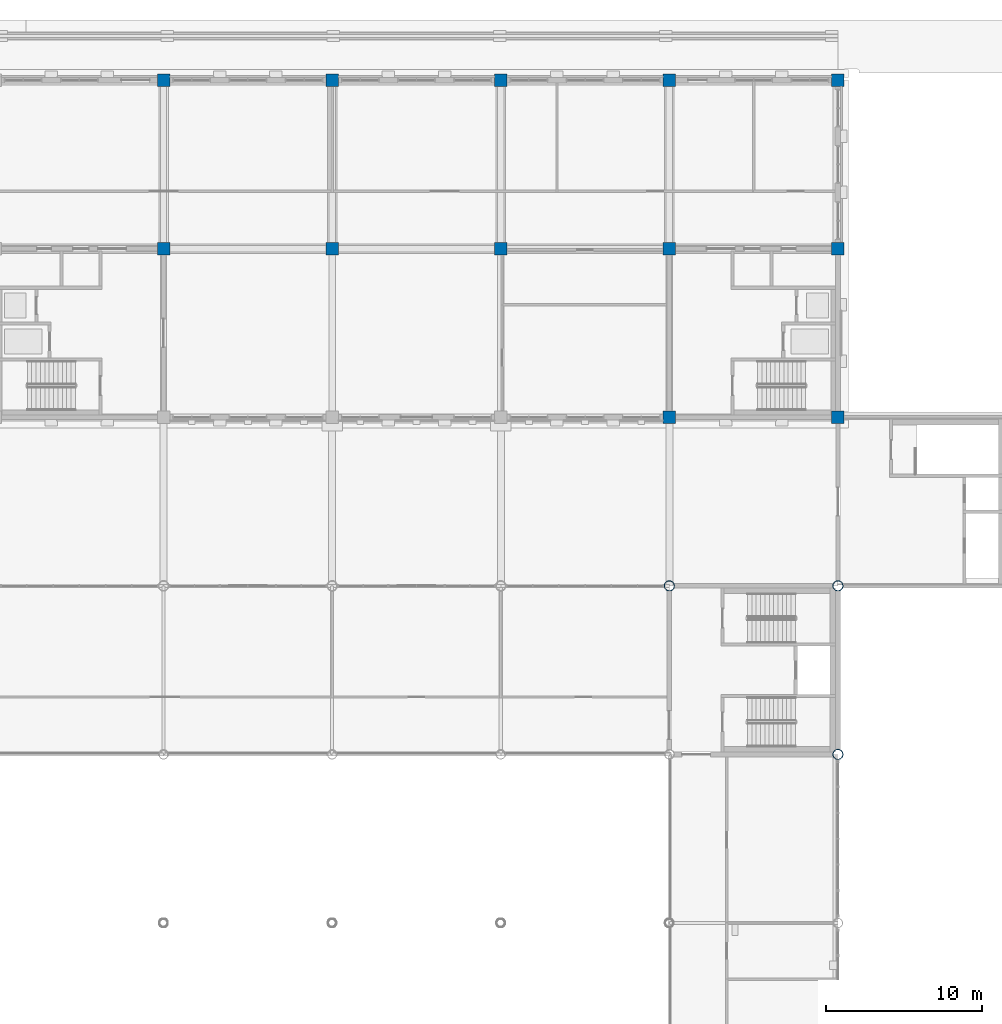
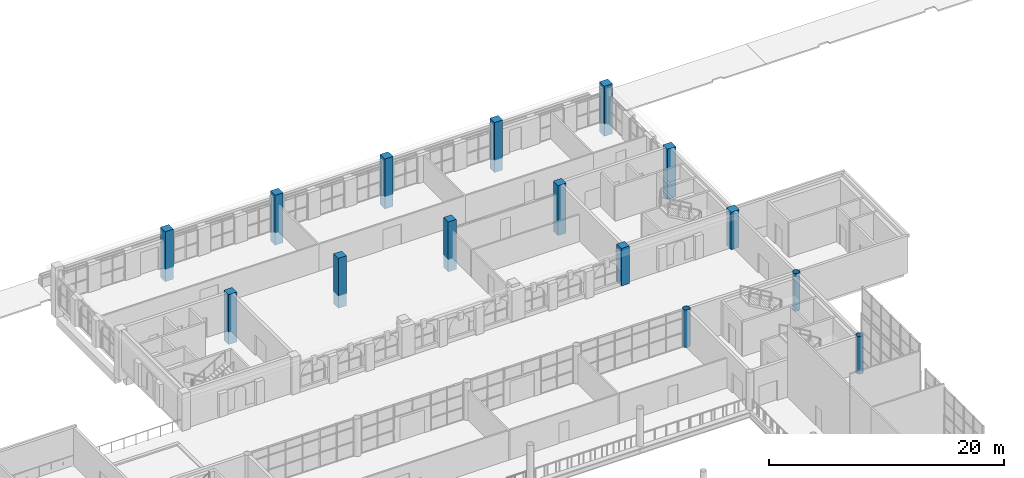
# One storey, part 6 of 95: 15 columns.
"""IFC4 building model written with IfcOpenShell, lengths in metres."""

from ifc_helpers import new_model, si_unit, direction, frame, origin, origin_2d, place, context, subcontext, project, spatial, rectangle, hollow_circle, extrude, material, material_profile, profile_set, type_object, element, save


model = new_model("IFC4")

# Units and contexts
model_context = context("Model", 3, precision=1e-05, world=origin(), true_north=direction((0.0, 1.0)))
body_context = subcontext(model_context, "Body", "Model", "MODEL_VIEW")
ifc_project = project(units=[si_unit("LENGTHUNIT", "METRE"), si_unit("AREAUNIT", "SQUARE_METRE"), si_unit("VOLUMEUNIT", "CUBIC_METRE"), si_unit("PLANEANGLEUNIT", "RADIAN"), si_unit("MASSUNIT", "GRAM", prefix="KILO")], contexts=[model_context])

# Site, building, storey
site_placement = place(None, origin())
site = spatial("IfcSite", under=ifc_project, at=site_placement, CompositionType="ELEMENT")
building_placement = place(site_placement, origin())
building = spatial("IfcBuilding", under=site, at=building_placement, Name="Magnolia Steps Interchange", CompositionType="ELEMENT")
storey_placement = place(building_placement, frame((0.0, 0.0, 4.800048828125)))
storey = spatial("IfcBuildingStorey", under=building, at=storey_placement, Name="L01", CompositionType="ELEMENT", Elevation=4.800048828125)

# Columns
ifc_material_1 = material(Name="Concrete C40", Category="concrete")
ifc_material_profile_1 = material_profile(ifc_material_1, rectangle(XDim=0.800048828125, YDim=0.800048828125, at=origin_2d()), Name="RC800x800")
ifc_profile_set_1 = profile_set([ifc_material_profile_1], Name="Concrete C40")
column_type_1 = type_object("IfcColumnType", Name="RC column 800x800", PredefinedType="COLUMN", material=ifc_profile_set_1)
for number, where, z_axis, x_axis, name in (
    (1, (74.800048828125, 107.199951171875, -1.300048828125), (0.0, 0.0, 1.0), (1.0, 0.0, 0.0), "Column OPE-7J L01"),
    (2, (74.800048828125, 118.0, -1.300048828125), (0.0, 0.0, 1.0), (1.0, 0.0, 0.0), "Column OPE-7K L01"),
    (3, (85.60009765625, 107.199951171875, -1.300048828125), (0.0, 0.0, 1.0), (1.0, 0.0, 0.0), "Column OPE-8J L01"),
    (4, (85.60009765625, 118.0, -1.300048828125), (0.0, 0.0, 1.0), (1.0, 0.0, 0.0), "Column OPE-8K L01"),
    (5, (96.39990234375, 107.199951171875, -1.300048828125), (0.0, 0.0, 1.0), (1.0, 0.0, 0.0), "Column OPE-9J L01"),
    (6, (96.39990234375, 118.0, -1.300048828125), (0.0, 0.0, 1.0), (1.0, 0.0, 0.0), "Column OPE-9K L01"),
):
    element("IfcColumn", number, at=place(storey_placement, frame(where, z_axis=z_axis, x_axis=x_axis)), inside=storey, type_object=column_type_1, Name=name, PredefinedType="COLUMN", context=body_context, shape_type="SweptSolid", body=[
        extrude(rectangle(XDim=0.800048828125, YDim=0.800048828125, at=origin_2d()), origin(), (0.0, 0.0, 1.0), 5.199951171875),
    ])
column_1_placement = place(storey_placement, frame((107.199951171875, 96.39990234375, 0.0), z_axis=(0.0, 0.0, 1.0), x_axis=(1.0, 0.0, 0.0)))
element("IfcColumn", 7, at=column_1_placement, inside=storey, type_object=column_type_1, Name="Column OPE-10I L01", PredefinedType="COLUMN", context=body_context, shape_type="SweptSolid", body=[
    extrude(rectangle(XDim=0.800048828125, YDim=0.800048828125, at=origin_2d()), origin(), (0.0, 0.0, 1.0), 3.89990234375),
])
for number, where, z_axis, x_axis, name in (
    (8, (107.199951171875, 107.199951171875, -1.300048828125), (0.0, 0.0, 1.0), (1.0, 0.0, 0.0), "Column OPE-10J L01"),
    (9, (107.199951171875, 118.0, -1.300048828125), (0.0, 0.0, 1.0), (1.0, 0.0, 0.0), "Column OPE-10K L01"),
):
    element("IfcColumn", number, at=place(storey_placement, frame(where, z_axis=z_axis, x_axis=x_axis)), inside=storey, type_object=column_type_1, Name=name, PredefinedType="COLUMN", context=body_context, shape_type="SweptSolid", body=[
        extrude(rectangle(XDim=0.800048828125, YDim=0.800048828125, at=origin_2d()), origin(), (0.0, 0.0, 1.0), 5.199951171875),
    ])
column_2_placement = place(storey_placement, frame((118.0, 96.39990234375, 0.0), z_axis=(0.0, 0.0, 1.0), x_axis=(1.0, 0.0, 0.0)))
element("IfcColumn", 10, at=column_2_placement, inside=storey, type_object=column_type_1, Name="Column OPE-11I L01", PredefinedType="COLUMN", context=body_context, shape_type="SweptSolid", body=[
    extrude(rectangle(XDim=0.800048828125, YDim=0.800048828125, at=origin_2d()), origin(), (0.0, 0.0, 1.0), 3.89990234375),
])
for number, where, z_axis, x_axis, name in (
    (11, (118.0, 107.199951171875, -1.300048828125), (0.0, 0.0, 1.0), (1.0, 0.0, 0.0), "Column OPE-11J L01"),
    (12, (118.0, 118.0, -1.300048828125), (0.0, 0.0, 1.0), (1.0, 0.0, 0.0), "Column OPE-11K L01"),
):
    element("IfcColumn", number, at=place(storey_placement, frame(where, z_axis=z_axis, x_axis=x_axis)), inside=storey, type_object=column_type_1, Name=name, PredefinedType="COLUMN", context=body_context, shape_type="SweptSolid", body=[
        extrude(rectangle(XDim=0.800048828125, YDim=0.800048828125, at=origin_2d()), origin(), (0.0, 0.0, 1.0), 5.199951171875),
    ])
ifc_material_2 = material(Name="Steel Q355B", Category="steel")
ifc_material_profile_2 = material_profile(ifc_material_2, hollow_circle(Radius=0.330078125, WallThickness=0.02490234375, at=origin_2d()), Name="CHS660x25")
ifc_profile_set_2 = profile_set([ifc_material_profile_2], Name="Steel Q355B")
column_type_2 = type_object("IfcColumnType", Name="Tree trunk CHS660x25", PredefinedType="COLUMN", material=ifc_profile_set_2)
for number, where, z_axis, x_axis, name in (
    (13, (107.199951171875, 85.60009765625, 0.0), (0.0, 0.0, 1.0), (1.0, 0.0, 0.0), "Tree trunk TH06E"),
    (14, (118.0, 74.800048828125, 0.0), (0.0, 0.0, 1.0), (1.0, 0.0, 0.0), "Tree trunk TH07D"),
    (15, (118.0, 85.60009765625, 0.0), (0.0, 0.0, 1.0), (1.0, 0.0, 0.0), "Tree trunk TH07E"),
):
    element("IfcColumn", number, at=place(storey_placement, frame(where, z_axis=z_axis, x_axis=x_axis)), inside=storey, type_object=column_type_2, Name=name, PredefinedType="COLUMN", context=body_context, shape_type="SweptSolid", body=[
        extrude(hollow_circle(Radius=0.330078125, WallThickness=0.02490234375, at=origin_2d()), origin(), (0.0, 0.0, 1.0), 3.89990234375),
    ])

save(model, "model.ifc")
